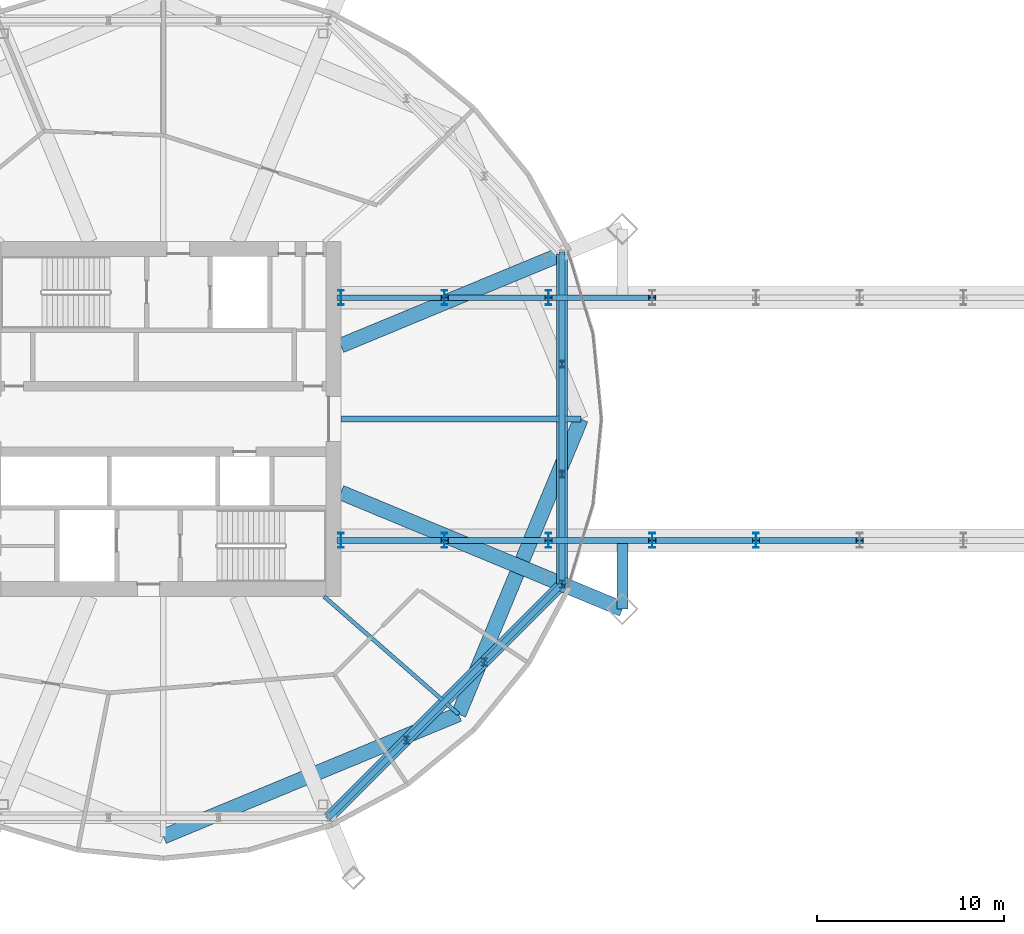
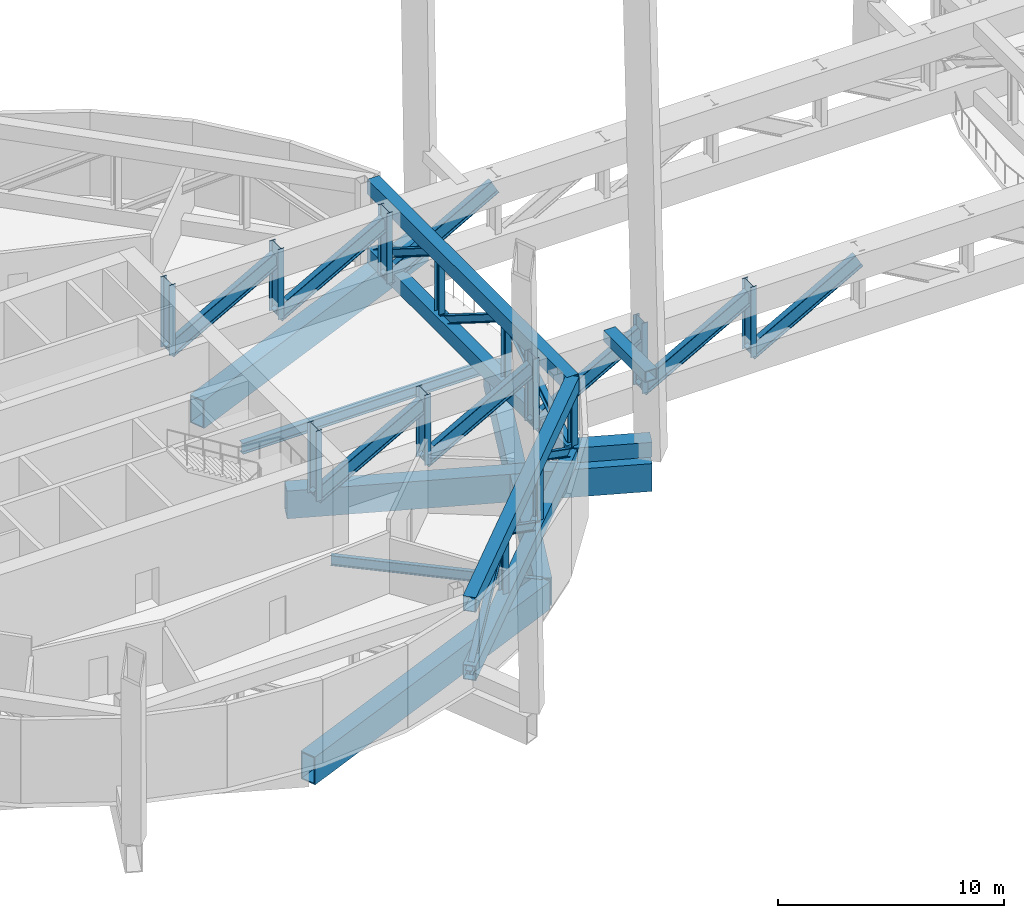
# One storey, part 4 of 19: 31 members, 8 beams.
"""IFC4 building model written with IfcOpenShell, lengths in metres."""

import ifcopenshell
import ifcopenshell.guid

model = None  # the IFC model being written
_history = None  # IfcOwnerHistory: only IFC2X3 demands one
_inside = {}  # id of a spatial element -> (the spatial element, [elements in it])
_under = {}  # id of a project, library or spatial element -> (it, [spatial elements below it])
_declared = {}  # id of a project -> (the project, [libraries it declares])
_typed = {}  # id of a type object -> (the type object, [elements of that type])
_made_of = {}  # id of a material, layer set ... -> (it, [elements and type objects made of it])


def new_model(schema):
    """Start an empty IFC model of exactly this schema.

    Asked for "IFC4X3", IfcOpenShell would pick the latest addendum, in which some entities
    have other attributes; the version numbers below select the first issue.
    IFC2X3 requires an IfcOwnerHistory on every rooted entity: one is made here for all.
    """
    global model, _history
    if schema == "IFC4X3":
        model = ifcopenshell.file(schema_version=(4, 3, 0, 0))
    else:
        model = ifcopenshell.file(schema=schema)
    _inside.clear()
    _under.clear()
    _declared.clear()
    _typed.clear()
    _made_of.clear()
    _history = None
    if model.schema == "IFC2X3":
        org = make("IfcOrganization", Name="unknown")
        user = make(
            "IfcPersonAndOrganization",
            ThePerson=make("IfcPerson", FamilyName="unknown"),
            TheOrganization=org,
        )
        app = make(
            "IfcApplication",
            ApplicationDeveloper=org,
            Version="unknown",
            ApplicationFullName="unknown",
            ApplicationIdentifier="unknown",
        )
        _history = make(
            "IfcOwnerHistory",
            OwningUser=user,
            OwningApplication=app,
            ChangeAction="ADDED",
            CreationDate=0,
        )
    return model


def make(cls, **values):
    """One entity of the class cls with the attributes given. An attribute that is None is left unset."""
    return model.create_entity(
        cls, **{name: value for name, value in values.items() if value is not None}
    )


def rooted(cls, **values):
    """An entity with a GlobalId (a new one), such as an element, a storey or a relation."""
    return make(cls, GlobalId=ifcopenshell.guid.new(), OwnerHistory=_history, **values)


def si_unit(unit_type, name, prefix=None):
    """IfcSIUnit, for example si_unit("LENGTHUNIT", "METRE", prefix="MILLI")."""
    return make("IfcSIUnit", UnitType=unit_type, Prefix=prefix, Name=name)


def assignment(units):
    """IfcUnitAssignment: the units of a project."""
    return None if units is None else make("IfcUnitAssignment", Units=units)


def point(xyz):
    """IfcCartesianPoint."""
    return None if xyz is None else make("IfcCartesianPoint", Coordinates=xyz)


def direction(xyz):
    """IfcDirection."""
    return None if xyz is None else make("IfcDirection", DirectionRatios=xyz)


def frame(location, z_axis=None, x_axis=None):
    """IfcAxis2Placement3D, a coordinate frame: its origin and axes. An axis left out is left unset."""
    return make(
        "IfcAxis2Placement3D",
        Location=point(location),
        Axis=direction(z_axis),
        RefDirection=direction(x_axis),
    )


def frame_2d(location, x_axis=None):
    """IfcAxis2Placement2D, a coordinate frame in the plane: its origin and x axis."""
    return make(
        "IfcAxis2Placement2D", Location=point(location), RefDirection=direction(x_axis)
    )


def origin():
    """The frame at (0, 0, 0) with its axes left unset."""
    return frame((0.0, 0.0, 0.0))


def origin_2d():
    """The frame at (0, 0) in the plane with its x axis left unset."""
    return frame_2d((0.0, 0.0))


def place(relative_to, where):
    """IfcLocalPlacement: puts the frame where relative to a parent placement (None: the world)."""
    return make(
        "IfcLocalPlacement", PlacementRelTo=relative_to, RelativePlacement=where
    )


def context(
    kind, dimensions, precision=None, world=None, true_north=None, identifier=None
):
    """IfcGeometricRepresentationContext, for example the 3D "Model" context."""
    return make(
        "IfcGeometricRepresentationContext",
        ContextIdentifier=identifier,
        ContextType=kind,
        CoordinateSpaceDimension=dimensions,
        Precision=precision,
        WorldCoordinateSystem=world,
        TrueNorth=true_north,
    )


def subcontext(parent, identifier, kind, view, scale=None):
    """IfcGeometricRepresentationSubContext, for example "Body" below "Model"."""
    return make(
        "IfcGeometricRepresentationSubContext",
        ContextIdentifier=identifier,
        ContextType=kind,
        ParentContext=parent,
        TargetScale=scale,
        TargetView=view,
    )


def project(units=None, contexts=None):
    """IfcProject with its units and contexts."""
    return rooted(
        "IfcProject",
        Name="project",
        RepresentationContexts=contexts,
        UnitsInContext=assignment(units),
    )


def spatial(cls, under=None, at=None, **own):
    """A site, building, storey or space (cls), placed at a placement, below another one or the project."""
    s = rooted(cls, ObjectPlacement=at, **own)
    if under is not None:
        _under.setdefault(under.id(), (under, []))[1].append(s)
    return s


def profile(cls, at=None, kind="AREA", **sizes):
    """A parametric profile (cls). Its sizes go by their IFC names, for example OverallWidth=200.0."""
    return make(cls, ProfileType=kind, Position=at, **sizes)


def hollow_rectangle(**sizes):
    """IfcRectangleHollowProfileDef."""
    return profile("IfcRectangleHollowProfileDef", **sizes)


def i_section(**sizes):
    """IfcIShapeProfileDef."""
    return profile("IfcIShapeProfileDef", **sizes)


def extrude(swept, where, along, depth):
    """IfcExtrudedAreaSolid: the profile swept, set in the frame where, extruded along a direction by depth."""
    return make(
        "IfcExtrudedAreaSolid",
        SweptArea=swept,
        Position=where,
        ExtrudedDirection=direction(along),
        Depth=depth,
    )


def shape(context_of_items, identifier, shape_type, items):
    """IfcShapeRepresentation: the items that make up one representation, for example the "Body"."""
    return make(
        "IfcShapeRepresentation",
        ContextOfItems=context_of_items,
        RepresentationIdentifier=identifier,
        RepresentationType=shape_type,
        Items=items,
    )


def material(Name=None, Category=None):
    """IfcMaterial."""
    return make("IfcMaterial", Name=Name, Category=Category)


def material_profile(
    of_material, cross_section, Name=None, Category=None, Priority=None
):
    """IfcMaterialProfile: a cross section and its material."""
    return make(
        "IfcMaterialProfile",
        Name=Name,
        Material=of_material,
        Profile=cross_section,
        Priority=Priority,
        Category=Category,
    )


def profile_set(profiles, Name=None, composite=None):
    """IfcMaterialProfileSet."""
    return make(
        "IfcMaterialProfileSet",
        Name=Name,
        MaterialProfiles=profiles,
        CompositeProfile=composite,
    )


def made_of(thing, what):
    """Note that an element or type object is made of a material, layer set ...; save() writes the relation."""
    if what is not None:
        _made_of.setdefault(what.id(), (what, []))[1].append(thing)
    return thing


def type_object(cls, material=None, **own):
    """A type object (cls), such as IfcWallType, which elements share."""
    return made_of(rooted(cls, **own), material)


def element(
    cls,
    number,
    at=None,
    inside=None,
    cuts=None,
    type_object=None,
    material=None,
    context=None,
    identifier="Body",
    shape_type=None,
    held_by="IfcProductDefinitionShape",
    body=None,
    shapes=None,
    **own,
):
    """One element of the class cls, such as IfcWall. Its Tag is "e" and its number.

    at: its placement. inside: the storey or other place that contains it. cuts: it is an
    opening in that element (IfcRelVoidsElement). A single representation is given by context,
    identifier, shape_type and body (its items); several are given by shapes. held_by: the class
    of the entity that holds the representations. save() writes the other relations.
    """
    e = rooted(cls, Tag="e%d" % number, ObjectPlacement=at, **own)
    if body is not None:
        shapes = [shape(context, identifier, shape_type, body)]
    if shapes is not None:
        e.Representation = make(held_by, Representations=shapes)
    if inside is not None:
        _inside.setdefault(inside.id(), (inside, []))[1].append(e)
    if cuts is not None:
        rooted(
            "IfcRelVoidsElement", RelatingBuildingElement=cuts, RelatedOpeningElement=e
        )
    if type_object is not None:
        _typed.setdefault(type_object.id(), (type_object, []))[1].append(e)
    return made_of(e, material)


def aggregate(whole, parts):
    """IfcRelAggregates: a whole, such as a stair, and the parts it consists of."""
    return rooted("IfcRelAggregates", RelatingObject=whole, RelatedObjects=parts)


def save(model, path):
    """Write the relations noted so far, then the file.

    IfcRelAggregates (storeys below a building ...), IfcRelContainedInSpatialStructure (elements
    in a storey), IfcRelDefinesByType, IfcRelAssociatesMaterial and IfcRelDeclares: one each for
    every whole, place, type object, material and project.
    """
    for whole, parts in _under.values():
        aggregate(whole, parts)
    for where, things in _inside.values():
        rooted(
            "IfcRelContainedInSpatialStructure",
            RelatedElements=things,
            RelatingStructure=where,
        )
    for kind, things in _typed.values():
        rooted("IfcRelDefinesByType", RelatedObjects=things, RelatingType=kind)
    for what, things in _made_of.values():
        rooted("IfcRelAssociatesMaterial", RelatedObjects=things, RelatingMaterial=what)
    for by, libraries in _declared.values():
        rooted("IfcRelDeclares", RelatingContext=by, RelatedDefinitions=libraries)
    model.write(path)


model = new_model("IFC4")

# Units and contexts
model_context = context("Model", 3, precision=1e-05, world=origin(), true_north=direction((0.0, 1.0)))
body_context = subcontext(model_context, "Body", "Model", "MODEL_VIEW")
ifc_project = project(units=[si_unit("LENGTHUNIT", "METRE"), si_unit("AREAUNIT", "SQUARE_METRE"), si_unit("VOLUMEUNIT", "CUBIC_METRE"), si_unit("PLANEANGLEUNIT", "RADIAN"), si_unit("MASSUNIT", "GRAM", prefix="KILO")], contexts=[model_context])

# Site, building, storey
site_placement = place(None, origin())
site = spatial("IfcSite", under=ifc_project, at=site_placement, CompositionType="ELEMENT")
building_placement = place(site_placement, origin())
building = spatial("IfcBuilding", under=site, at=building_placement, Name="Ogive Gate Towers", CompositionType="ELEMENT")
storey_placement = place(building_placement, frame((0.0, 0.0, 130.800048828125)))
storey = spatial("IfcBuildingStorey", under=building, at=storey_placement, Name="L31", CompositionType="ELEMENT", Elevation=130.800048828125)

# Beams
ifc_material_1 = material(Name="Steel SM460", Category="steel")
ifc_material_profile_1 = material_profile(ifc_material_1, hollow_rectangle(XDim=0.800048828125, YDim=1.5, WallThickness=0.06005859375, at=origin_2d()), Name="BX 1500x800x60")
ifc_profile_set_1 = profile_set([ifc_material_profile_1], Name="Steel SM460")
beam_type_1 = type_object("IfcBeamType", Name="Edge girder BX 1500x800x60", PredefinedType="BEAM", material=ifc_profile_set_1)
for number, where, z_axis, x_axis, name in (
    (1, (-36.0, -22.35009765625, -1.050048828125), (0.923880978344, 0.382679941797, 0.0), (-0.382679941797, 0.923880978344, 0.0), "T1/L31/SBM018"),
    (2, (-20.196044921875, -15.803955078125, -1.050048828125), (0.382679941797, 0.923880978344, 0.0), (-0.923880978344, 0.382679941797, 0.0), "T1/L31/SBM019"),
):
    element("IfcBeam", number, at=place(storey_placement, frame(where, z_axis=z_axis, x_axis=x_axis)), inside=storey, type_object=beam_type_1, Name=name, PredefinedType="BEAM", context=body_context, shape_type="SweptSolid", body=[
        extrude(hollow_rectangle(XDim=0.800048828125, YDim=1.5, WallThickness=0.06005859375, at=origin_2d()), origin(), (0.0, 0.0, 1.0), 17.10595703125),
    ])
ifc_material_profile_2 = material_profile(ifc_material_1, hollow_rectangle(XDim=0.60009765625, YDim=0.60009765625, WallThickness=0.0400390625, at=origin_2d()), Name="BX 600x600x40")
ifc_profile_set_2 = profile_set([ifc_material_profile_2], Name="Steel SM460")
beam_type_2 = type_object("IfcBeamType", Name="Gate link BX 600x600x40", PredefinedType="BEAM", material=ifc_profile_set_2)
beam_1_placement = place(storey_placement, frame((-11.4248046875, -6.5, 4.199951171875), z_axis=(0.0, -1.0, 0.0), x_axis=(1.0, 0.0, 0.0)))
element("IfcBeam", 3, at=beam_1_placement, inside=storey, type_object=beam_type_2, Name="BR/L31/SBM002", PredefinedType="BEAM", context=body_context, shape_type="SweptSolid", body=[
    extrude(hollow_rectangle(XDim=0.60009765625, YDim=0.60009765625, WallThickness=0.0400390625, at=origin_2d()), origin(), (0.0, 0.0, 1.0), 3.679443359375),
])
ifc_material_profile_3 = material_profile(ifc_material_1, hollow_rectangle(XDim=0.800048828125, YDim=0.800048828125, WallThickness=0.050048828125, at=origin_2d()), Name="BX 800x800x50")
ifc_profile_set_3 = profile_set([ifc_material_profile_3], Name="Steel SM460")
beam_type_3 = type_object("IfcBeamType", Name="Node arm BX 800x800x50", PredefinedType="BEAM", material=ifc_profile_set_3)
beam_2_placement = place(storey_placement, frame((-14.658447265625, -8.840087890625, 0.449951171875), z_axis=(0.923885910704, -0.382668033682, 0.0), x_axis=(0.382668033682, 0.923885910704, 0.0)))
element("IfcBeam", 4, at=beam_2_placement, inside=storey, type_object=beam_type_3, Name="T1/L31/SBM032", PredefinedType="BEAM", context=body_context, shape_type="SweptSolid", body=[
    extrude(hollow_rectangle(XDim=0.800048828125, YDim=0.800048828125, WallThickness=0.050048828125, at=origin_2d()), origin(), (0.0, 0.0, 1.0), 3.5),
])
ifc_material_2 = material(Name="Steel SM355", Category="steel")
ifc_material_profile_4 = material_profile(ifc_material_2, i_section(OverallWidth=0.300048828125, OverallDepth=0.590087890625, WebThickness=0.012939453125, FlangeThickness=0.02490234375, FilletRadius=0.027099609375, at=origin_2d()), Name="HE 600 A")
ifc_profile_set_4 = profile_set([ifc_material_profile_4], Name="Steel SM355")
beam_type_4 = type_object("IfcBeamType", Name="Radial floor beam HE 600 A", PredefinedType="BEAM", material=ifc_profile_set_4)
beam_3_placement = place(storey_placement, frame((-26.5, 0.0, -0.594970703125), z_axis=(1.0, 0.0, 0.0), x_axis=(0.0, 1.0, 0.0)))
element("IfcBeam", 5, at=beam_3_placement, inside=storey, type_object=beam_type_4, Name="T1/L31/SBM007", PredefinedType="BEAM", context=body_context, shape_type="SweptSolid", body=[
    extrude(i_section(OverallWidth=0.300048828125, OverallDepth=0.590087890625, WebThickness=0.012939453125, FlangeThickness=0.02490234375, FilletRadius=0.027099609375, at=origin_2d()), origin(), (0.0, 0.0, 1.0), 12.85009765625),
])
ifc_material_profile_5 = material_profile(ifc_material_2, i_section(OverallWidth=0.2099609375, OverallDepth=0.550048828125, WebThickness=0.010986328125, FlangeThickness=0.01708984375, FilletRadius=0.02392578125, at=origin_2d()), Name="IPE 550")
ifc_profile_set_5 = profile_set([ifc_material_profile_5], Name="Steel SM355")
beam_type_5 = type_object("IfcBeamType", Name="Radial floor beam IPE 550", PredefinedType="BEAM", material=ifc_profile_set_5)
beam_4_placement = place(storey_placement, frame((-27.39990234375, -9.5, -0.574951171875), z_axis=(0.752546675937, -0.658538913457, 0.0), x_axis=(0.658538913457, 0.752546675937, 0.0)))
element("IfcBeam", 6, at=beam_4_placement, inside=storey, type_object=beam_type_5, Name="T1/L31/SBM005", PredefinedType="BEAM", context=body_context, shape_type="SweptSolid", body=[
    extrude(i_section(OverallWidth=0.2099609375, OverallDepth=0.550048828125, WebThickness=0.010986328125, FlangeThickness=0.01708984375, FilletRadius=0.02392578125, at=origin_2d()), origin(), (0.0, 0.0, 1.0), 9.57275390625),
])
ifc_material_profile_6 = material_profile(ifc_material_1, hollow_rectangle(XDim=0.800048828125, YDim=1.5, WallThickness=0.06005859375, at=origin_2d()), Name="BX 1500x800x60")
ifc_profile_set_6 = profile_set([ifc_material_profile_6], Name="Steel SM460")
beam_type_6 = type_object("IfcBeamType", Name="Transfer radial beam BX 1500x800x60", PredefinedType="BEAM", material=ifc_profile_set_6)
for number, where, z_axis, x_axis, name in (
    (7, (-26.5, -3.93505859375, -1.050048828125), (0.923878786896, -0.382685232436, 0.0), (0.382685232436, 0.923878786896, 0.0), "T1/L31/SBM006"),
    (8, (-26.5, 3.93505859375, -1.050048828125), (0.923878786896, 0.382685232436, 0.0), (-0.382685232436, 0.923878786896, 0.0), "T1/L31/SBM008"),
):
    element("IfcBeam", number, at=place(storey_placement, frame(where, z_axis=z_axis, x_axis=x_axis)), inside=storey, type_object=beam_type_6, Name=name, PredefinedType="BEAM", context=body_context, shape_type="SweptSolid", body=[
        extrude(hollow_rectangle(XDim=0.800048828125, YDim=1.5, WallThickness=0.06005859375, at=origin_2d()), origin(), (0.0, 0.0, 1.0), 16.3173828125),
    ])

# Members
ifc_material_profile_7 = material_profile(ifc_material_1, hollow_rectangle(XDim=0.60009765625, YDim=0.800048828125, WallThickness=0.0400390625, at=origin_2d()), Name="BX 800x600x40")
ifc_profile_set_7 = profile_set([ifc_material_profile_7], Name="Steel SM460")
member_type_1 = type_object("IfcMemberType", Name="Truss chord BX 800x600x40", PredefinedType="CHORD", material=ifc_profile_set_7)
for number, where, z_axis, x_axis, name in (
    (9, (-27.159912109375, -21.341552734375, 0.39990234375), (0.707106781187, 0.707106781187, 0.0), (-0.707106781187, 0.707106781187, 0.0), "T1/L31/STR050"),
    (10, (-27.159912109375, -21.341552734375, 4.099853515625), (0.707106781187, 0.707106781187, 0.0), (-0.707106781187, 0.707106781187, 0.0), "T1/L31/STR051"),
):
    element("IfcMember", number, at=place(storey_placement, frame(where, z_axis=z_axis, x_axis=x_axis)), inside=storey, type_object=member_type_1, Name=name, PredefinedType="CHORD", context=body_context, shape_type="SweptSolid", body=[
        extrude(hollow_rectangle(XDim=0.60009765625, YDim=0.800048828125, WallThickness=0.0400390625, at=origin_2d()), origin(), (0.0, 0.0, 1.0), 17.6796875),
    ])
for number, where, z_axis, x_axis, name in (
    (11, (-14.658447265625, -8.840087890625, 0.39990234375), (0.0, 1.0, 0.0), (-1.0, 0.0, 0.0), "T1/L31/STR058"),
    (12, (-14.658447265625, -8.840087890625, 4.099853515625), (0.0, 1.0, 0.0), (-1.0, 0.0, 0.0), "T1/L31/STR059"),
):
    element("IfcMember", number, at=place(storey_placement, frame(where, z_axis=z_axis, x_axis=x_axis)), inside=storey, type_object=member_type_1, Name=name, PredefinedType="CHORD", context=body_context, shape_type="SweptSolid", body=[
        extrude(hollow_rectangle(XDim=0.60009765625, YDim=0.800048828125, WallThickness=0.0400390625, at=origin_2d()), origin(), (0.0, 0.0, 1.0), 17.68017578125),
    ])
ifc_material_profile_8 = material_profile(ifc_material_1, i_section(OverallWidth=0.300048828125, OverallDepth=0.39990234375, WebThickness=0.013427734375, FlangeThickness=0.02392578125, FilletRadius=0.027099609375, at=origin_2d()), Name="HE 400 B")
ifc_profile_set_8 = profile_set([ifc_material_profile_8], Name="Steel SM460")
member_type_2 = type_object("IfcMemberType", Name="Truss diagonal HE 400 B", PredefinedType="BRACE", material=ifc_profile_set_8)
member_1_placement = place(storey_placement, frame((-27.159912109375, -21.341552734375, 0.39990234375), z_axis=(0.598866000046, 0.598866000046, 0.531713294903), x_axis=(-0.707106781187, 0.707106781187, 0.0)))
element("IfcMember", 13, at=member_1_placement, inside=storey, type_object=member_type_2, Name="T1/L31/STR052", PredefinedType="BRACE", context=body_context, shape_type="SweptSolid", body=[
    extrude(i_section(OverallWidth=0.300048828125, OverallDepth=0.39990234375, WebThickness=0.013427734375, FlangeThickness=0.02392578125, FilletRadius=0.027099609375, at=origin_2d()), origin(), (0.0, 0.0, 1.0), 6.95849609375),
])
member_2_placement = place(storey_placement, frame((-22.99267578125, -17.17431640625, 4.099853515625), z_axis=(0.598856080222, 0.598856080222, -0.531735639545), x_axis=(-0.707106781187, 0.707106781187, 0.0)))
element("IfcMember", 14, at=member_2_placement, inside=storey, type_object=member_type_2, Name="T1/L31/STR053", PredefinedType="BRACE", context=body_context, shape_type="SweptSolid", body=[
    extrude(i_section(OverallWidth=0.300048828125, OverallDepth=0.39990234375, WebThickness=0.013427734375, FlangeThickness=0.02392578125, FilletRadius=0.027099609375, at=origin_2d()), origin(), (0.0, 0.0, 1.0), 6.958251953125),
])
for number, where, z_axis, x_axis, name in (
    (15, (-18.82568359375, -13.00732421875, 4.099853515625), (0.598866000046, 0.598866000046, -0.531713294903), (-0.707106781187, 0.707106781187, 0.0), "T1/L31/STR054"),
    (16, (-14.658447265625, -8.840087890625, 0.39990234375), (0.0, 0.846922323401, 0.531716633297), (-1.0, 0.0, 0.0), "T1/L31/STR060"),
):
    element("IfcMember", number, at=place(storey_placement, frame(where, z_axis=z_axis, x_axis=x_axis)), inside=storey, type_object=member_type_2, Name=name, PredefinedType="BRACE", context=body_context, shape_type="SweptSolid", body=[
        extrude(i_section(OverallWidth=0.300048828125, OverallDepth=0.39990234375, WebThickness=0.013427734375, FlangeThickness=0.02392578125, FilletRadius=0.027099609375, at=origin_2d()), origin(), (0.0, 0.0, 1.0), 6.95849609375),
    ])
member_3_placement = place(storey_placement, frame((-14.658447265625, -2.94677734375, 4.099853515625), z_axis=(0.0, 0.846932242345, -0.531700833999), x_axis=(-1.0, 0.0, 0.0)))
element("IfcMember", 17, at=member_3_placement, inside=storey, type_object=member_type_2, Name="T1/L31/STR061", PredefinedType="BRACE", context=body_context, shape_type="SweptSolid", body=[
    extrude(i_section(OverallWidth=0.300048828125, OverallDepth=0.39990234375, WebThickness=0.013427734375, FlangeThickness=0.02392578125, FilletRadius=0.027099609375, at=origin_2d()), origin(), (0.0, 0.0, 1.0), 6.958740234375),
])
member_4_placement = place(storey_placement, frame((-14.658447265625, 2.94677734375, 4.099853515625), z_axis=(0.0, 0.846922323401, -0.531716633297), x_axis=(-1.0, 0.0, 0.0)))
element("IfcMember", 18, at=member_4_placement, inside=storey, type_object=member_type_2, Name="T1/L31/STR062", PredefinedType="BRACE", context=body_context, shape_type="SweptSolid", body=[
    extrude(i_section(OverallWidth=0.300048828125, OverallDepth=0.39990234375, WebThickness=0.013427734375, FlangeThickness=0.02392578125, FilletRadius=0.027099609375, at=origin_2d()), origin(), (0.0, 0.0, 1.0), 6.95849609375),
])
ifc_material_profile_9 = material_profile(ifc_material_1, i_section(OverallWidth=0.300048828125, OverallDepth=0.800048828125, WebThickness=0.017578125, FlangeThickness=0.032958984375, FilletRadius=0.030029296875, at=origin_2d()), Name="HE 800 B")
ifc_profile_set_9 = profile_set([ifc_material_profile_9], Name="Steel SM460")
member_type_3 = type_object("IfcMemberType", Name="Truss diagonal HE 800 B", PredefinedType="BRACE", material=ifc_profile_set_9)
member_5_placement = place(storey_placement, frame((-26.5, -6.5, 0.699951171875), z_axis=(0.87327440057, 0.0, 0.487228715604), x_axis=(0.0, 1.0, 0.0)))
element("IfcMember", 19, at=member_5_placement, inside=storey, type_object=member_type_3, Name="BR/L31/STR003", PredefinedType="BRACE", context=body_context, shape_type="SweptSolid", body=[
    extrude(i_section(OverallWidth=0.300048828125, OverallDepth=0.800048828125, WebThickness=0.017578125, FlangeThickness=0.032958984375, FilletRadius=0.030029296875, at=origin_2d()), origin(), (0.0, 0.0, 1.0), 6.36279296875),
])
member_6_placement = place(storey_placement, frame((-20.943603515625, -6.5, 0.699951171875), z_axis=(0.873283508957, 0.0, 0.487212390015), x_axis=(0.0, 1.0, 0.0)))
element("IfcMember", 20, at=member_6_placement, inside=storey, type_object=member_type_3, Name="BR/L31/STR004", PredefinedType="BRACE", context=body_context, shape_type="SweptSolid", body=[
    extrude(i_section(OverallWidth=0.300048828125, OverallDepth=0.800048828125, WebThickness=0.017578125, FlangeThickness=0.032958984375, FilletRadius=0.030029296875, at=origin_2d()), origin(), (0.0, 0.0, 1.0), 6.363037109375),
])
member_7_placement = place(storey_placement, frame((-15.386962890625, -6.5, 0.699951171875), z_axis=(0.87327440057, 0.0, 0.487228715604), x_axis=(0.0, 1.0, 0.0)))
element("IfcMember", 21, at=member_7_placement, inside=storey, type_object=member_type_3, Name="BR/L31/STR005", PredefinedType="BRACE", context=body_context, shape_type="SweptSolid", body=[
    extrude(i_section(OverallWidth=0.300048828125, OverallDepth=0.800048828125, WebThickness=0.017578125, FlangeThickness=0.032958984375, FilletRadius=0.030029296875, at=origin_2d()), origin(), (0.0, 0.0, 1.0), 6.36279296875),
])
member_8_placement = place(storey_placement, frame((-9.83056640625, -6.5, 0.699951171875), z_axis=(0.873283508957, 0.0, 0.487212390015), x_axis=(0.0, 1.0, 0.0)))
element("IfcMember", 22, at=member_8_placement, inside=storey, type_object=member_type_3, Name="BR/L31/STR006", PredefinedType="BRACE", context=body_context, shape_type="SweptSolid", body=[
    extrude(i_section(OverallWidth=0.300048828125, OverallDepth=0.800048828125, WebThickness=0.017578125, FlangeThickness=0.032958984375, FilletRadius=0.030029296875, at=origin_2d()), origin(), (0.0, 0.0, 1.0), 6.363037109375),
])
for number, where, z_axis, x_axis, name in (
    (23, (-4.27392578125, -6.5, 0.699951171875), (0.87327440057, 0.0, 0.487228715604), (0.0, 1.0, 0.0), "BR/L31/STR007"),
    (24, (-26.5, 6.5, 0.699951171875), (0.87327440057, 0.0, 0.487228715604), (0.0, 1.0, 0.0), "BR/L31/STR026"),
):
    element("IfcMember", number, at=place(storey_placement, frame(where, z_axis=z_axis, x_axis=x_axis)), inside=storey, type_object=member_type_3, Name=name, PredefinedType="BRACE", context=body_context, shape_type="SweptSolid", body=[
        extrude(i_section(OverallWidth=0.300048828125, OverallDepth=0.800048828125, WebThickness=0.017578125, FlangeThickness=0.032958984375, FilletRadius=0.030029296875, at=origin_2d()), origin(), (0.0, 0.0, 1.0), 6.36279296875),
    ])
member_9_placement = place(storey_placement, frame((-20.943603515625, 6.5, 0.699951171875), z_axis=(0.873283508957, 0.0, 0.487212390015), x_axis=(0.0, 1.0, 0.0)))
element("IfcMember", 25, at=member_9_placement, inside=storey, type_object=member_type_3, Name="BR/L31/STR027", PredefinedType="BRACE", context=body_context, shape_type="SweptSolid", body=[
    extrude(i_section(OverallWidth=0.300048828125, OverallDepth=0.800048828125, WebThickness=0.017578125, FlangeThickness=0.032958984375, FilletRadius=0.030029296875, at=origin_2d()), origin(), (0.0, 0.0, 1.0), 6.363037109375),
])
member_10_placement = place(storey_placement, frame((-15.386962890625, 6.5, 0.699951171875), z_axis=(0.87327440057, 0.0, 0.487228715604), x_axis=(0.0, 1.0, 0.0)))
element("IfcMember", 26, at=member_10_placement, inside=storey, type_object=member_type_3, Name="BR/L31/STR028", PredefinedType="BRACE", context=body_context, shape_type="SweptSolid", body=[
    extrude(i_section(OverallWidth=0.300048828125, OverallDepth=0.800048828125, WebThickness=0.017578125, FlangeThickness=0.032958984375, FilletRadius=0.030029296875, at=origin_2d()), origin(), (0.0, 0.0, 1.0), 6.36279296875),
])
ifc_material_profile_10 = material_profile(ifc_material_1, i_section(OverallWidth=0.300048828125, OverallDepth=0.39990234375, WebThickness=0.013427734375, FlangeThickness=0.02392578125, FilletRadius=0.027099609375, at=origin_2d()), Name="HE 400 B")
ifc_profile_set_10 = profile_set([ifc_material_profile_10], Name="Steel SM460")
member_type_4 = type_object("IfcMemberType", Name="Truss post HE 400 B", PredefinedType="POST", material=ifc_profile_set_10)
for number, where, z_axis, x_axis, name in (
    (27, (-22.99267578125, -17.17431640625, 0.39990234375), (0.0, 0.0, 1.0), (1.0, 0.0, 0.0), "T1/L31/STR055"),
    (28, (-18.82568359375, -13.00732421875, 0.39990234375), (0.0, 0.0, 1.0), (1.0, 0.0, 0.0), "T1/L31/STR056"),
    (29, (-14.658447265625, -8.840087890625, 0.39990234375), (0.0, 0.0, 1.0), (1.0, 0.0, 0.0), "T1/L31/STR057"),
    (30, (-14.658447265625, -2.94677734375, 0.39990234375), (0.0, 0.0, 1.0), (1.0, 0.0, 0.0), "T1/L31/STR063"),
    (31, (-14.658447265625, 2.94677734375, 0.39990234375), (0.0, 0.0, 1.0), (1.0, 0.0, 0.0), "T1/L31/STR064"),
):
    element("IfcMember", number, at=place(storey_placement, frame(where, z_axis=z_axis, x_axis=x_axis)), inside=storey, type_object=member_type_4, Name=name, PredefinedType="POST", context=body_context, shape_type="SweptSolid", body=[
        extrude(i_section(OverallWidth=0.300048828125, OverallDepth=0.39990234375, WebThickness=0.013427734375, FlangeThickness=0.02392578125, FilletRadius=0.027099609375, at=origin_2d()), origin(), (0.0, 0.0, 1.0), 3.699951171875),
    ])
ifc_material_profile_11 = material_profile(ifc_material_1, i_section(OverallWidth=0.300048828125, OverallDepth=0.800048828125, WebThickness=0.017578125, FlangeThickness=0.032958984375, FilletRadius=0.030029296875, at=origin_2d()), Name="HE 800 B")
ifc_profile_set_11 = profile_set([ifc_material_profile_11], Name="Steel SM460")
member_type_5 = type_object("IfcMemberType", Name="Truss post HE 800 B", PredefinedType="POST", material=ifc_profile_set_11)
for number, where, z_axis, x_axis, name in (
    (32, (-26.5, -6.5, 0.699951171875), (0.0, 0.0, 1.0), (1.0, 0.0, 0.0), "BR/L31/STR013"),
    (33, (-20.943603515625, -6.5, 0.699951171875), (0.0, 0.0, 1.0), (1.0, 0.0, 0.0), "BR/L31/STR014"),
    (34, (-15.386962890625, -6.5, 0.699951171875), (0.0, 0.0, 1.0), (1.0, 0.0, 0.0), "BR/L31/STR015"),
    (35, (-9.83056640625, -6.5, 0.699951171875), (0.0, 0.0, 1.0), (1.0, 0.0, 0.0), "BR/L31/STR016"),
    (36, (-4.27392578125, -6.5, 0.699951171875), (0.0, 0.0, 1.0), (1.0, 0.0, 0.0), "BR/L31/STR017"),
    (37, (-26.5, 6.5, 0.699951171875), (0.0, 0.0, 1.0), (1.0, 0.0, 0.0), "BR/L31/STR036"),
    (38, (-20.943603515625, 6.5, 0.699951171875), (0.0, 0.0, 1.0), (1.0, 0.0, 0.0), "BR/L31/STR037"),
    (39, (-15.386962890625, 6.5, 0.699951171875), (0.0, 0.0, 1.0), (1.0, 0.0, 0.0), "BR/L31/STR038"),
):
    element("IfcMember", number, at=place(storey_placement, frame(where, z_axis=z_axis, x_axis=x_axis)), inside=storey, type_object=member_type_5, Name=name, PredefinedType="POST", context=body_context, shape_type="SweptSolid", body=[
        extrude(i_section(OverallWidth=0.300048828125, OverallDepth=0.800048828125, WebThickness=0.017578125, FlangeThickness=0.032958984375, FilletRadius=0.030029296875, at=origin_2d()), origin(), (0.0, 0.0, 1.0), 3.800048828125),
    ])

save(model, "model.ifc")
